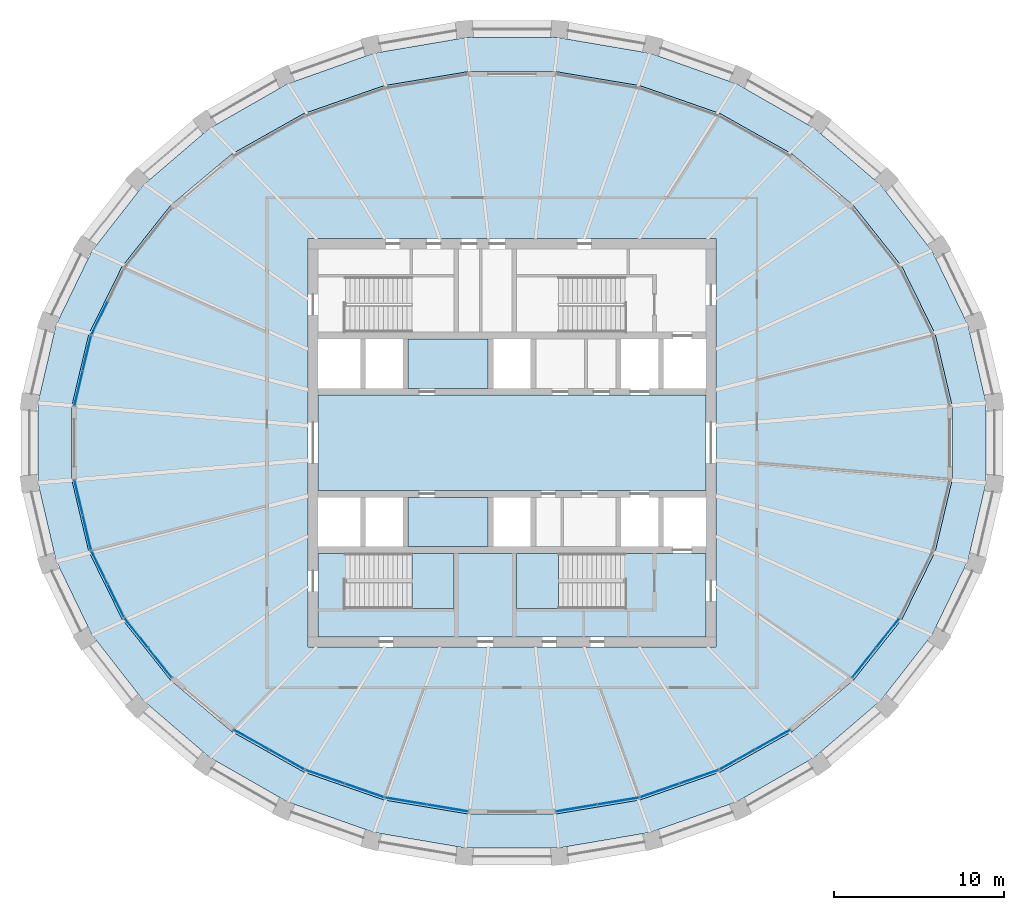
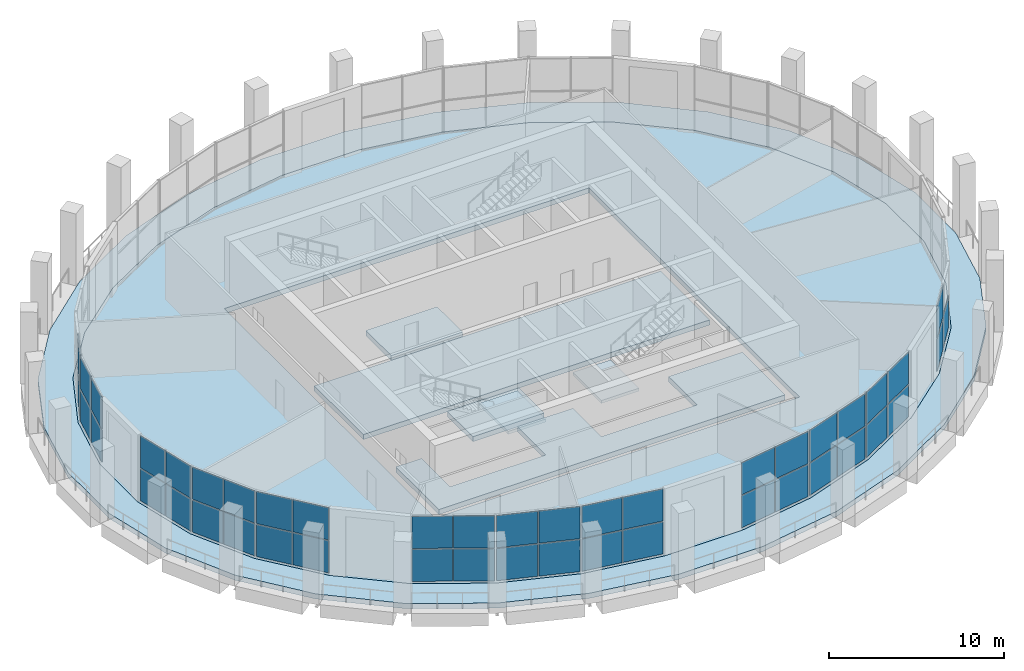
# One storey, part 8 of 15: 45 plates, 8 slabs, 14 elements without a shape of their own.
"""IFC4 building model written with IfcOpenShell, lengths in metres."""

from ifc_helpers import new_model, si_unit, direction, frame, origin, origin_2d, place, context, subcontext, project, spatial, polyline, rectangle, outline, extrude, material, layer, layer_set, type_object, element, aggregate, save


model = new_model("IFC4")

# Units and contexts
model_context = context("Model", 3, precision=1e-05, world=origin(), true_north=direction((0.0, 1.0)))
body_context = subcontext(model_context, "Body", "Model", "MODEL_VIEW")
ifc_project = project(units=[si_unit("LENGTHUNIT", "METRE"), si_unit("AREAUNIT", "SQUARE_METRE"), si_unit("VOLUMEUNIT", "CUBIC_METRE"), si_unit("PLANEANGLEUNIT", "RADIAN"), si_unit("MASSUNIT", "GRAM", prefix="KILO")], contexts=[model_context])

# Site, building, storey
site_placement = place(None, origin())
site = spatial("IfcSite", under=ifc_project, at=site_placement, CompositionType="ELEMENT")
building_placement = place(site_placement, origin())
building = spatial("IfcBuilding", under=site, at=building_placement, Name="Halqa Exchange Tower", CompositionType="ELEMENT")
storey_placement = place(building_placement, frame((0.0, 0.0, 338.300048828125)))
storey = spatial("IfcBuildingStorey", under=building, at=storey_placement, Name="L79", CompositionType="ELEMENT", Elevation=338.300048828125)

# Curtain wall, plates
ifc_material_1 = material(Name="Anodised aluminium and clear glass", Category="aluminium")
curtain_wall_type = type_object("IfcCurtainWallType", Name="Executive floor glazing", PredefinedType="NOTDEFINED", material=ifc_material_1)
curtain_wall_1_placement = place(storey_placement, origin())
curtain_wall_1 = element("IfcCurtainWall", 1, at=curtain_wall_1_placement, inside=storey, type_object=curtain_wall_type, Name="Executive floor glazing run G14", PredefinedType="NOTDEFINED")
ifc_material_2 = material(Name="Clear glass", Category="glass")
ifc_layer_1 = layer(ifc_material_2, 0.028076171875)
ifc_layer_set_1 = layer_set([ifc_layer_1], Name="Clear glass")
plate_type = type_object("IfcPlateType", Name="Clear low-emissivity glass panel 28", PredefinedType="CURTAIN_PANEL", material=ifc_layer_set_1)
plate_1_placement = place(storey_placement, frame((-24.2431640625, 7.32958984375, 0.06005859375), z_axis=(0.0, 0.0, 1.0), x_axis=(-0.441594506199, -0.897214741349, 0.0)))
plate_1 = element("IfcPlate", 2, at=plate_1_placement, type_object=plate_type, Name="G14 panel 2.1", PredefinedType="CURTAIN_PANEL", context=body_context, shape_type="SweptSolid", body=[
    extrude(rectangle(XDim=2.109619140625, YDim=0.028076171875, at=origin_2d()), origin(), (0.0, 0.0, 1.0), 2.235107421875),
])
plate_2_placement = place(storey_placement, frame((-24.2431640625, 7.32958984375, 2.35498046875), z_axis=(0.0, 0.0, 1.0), x_axis=(-0.441594506199, -0.897214741349, 0.0)))
plate_2 = element("IfcPlate", 3, at=plate_2_placement, type_object=plate_type, Name="G14 panel 2.2", PredefinedType="CURTAIN_PANEL", context=body_context, shape_type="SweptSolid", body=[
    extrude(rectangle(XDim=2.109619140625, YDim=0.028076171875, at=origin_2d()), origin(), (0.0, 0.0, 1.0), 2.235107421875),
])
aggregate(curtain_wall_1, [plate_1, plate_2])

curtain_wall_2_placement = place(storey_placement, origin())
curtain_wall_2 = element("IfcCurtainWall", 4, at=curtain_wall_2_placement, inside=storey, type_object=curtain_wall_type, Name="Executive floor glazing run G15", PredefinedType="NOTDEFINED")
plate_3_placement = place(storey_placement, frame((-24.986572265625, 5.266845703125, 0.06005859375), z_axis=(0.0, 0.0, 1.0), x_axis=(-0.229995471437, -0.97319169906, 0.0)))
plate_3 = element("IfcPlate", 5, at=plate_3_placement, type_object=plate_type, Name="G15 panel 1.1", PredefinedType="CURTAIN_PANEL", context=body_context, shape_type="SweptSolid", body=[
    extrude(rectangle(XDim=2.063720703125, YDim=0.028076171875, at=origin_2d()), origin(), (0.0, 0.0, 1.0), 2.235107421875),
])
plate_4_placement = place(storey_placement, frame((-24.986572265625, 5.266845703125, 2.35498046875), z_axis=(0.0, 0.0, 1.0), x_axis=(-0.229995471437, -0.97319169906, 0.0)))
plate_4 = element("IfcPlate", 6, at=plate_4_placement, type_object=plate_type, Name="G15 panel 1.2", PredefinedType="CURTAIN_PANEL", context=body_context, shape_type="SweptSolid", body=[
    extrude(rectangle(XDim=2.063720703125, YDim=0.028076171875, at=origin_2d()), origin(), (0.0, 0.0, 1.0), 2.235107421875),
])
plate_5_placement = place(storey_placement, frame((-25.47509765625, 3.2001953125, 0.06005859375), z_axis=(0.0, 0.0, 1.0), x_axis=(-0.229995471437, -0.97319169906, 0.0)))
plate_5 = element("IfcPlate", 7, at=plate_5_placement, type_object=plate_type, Name="G15 panel 2.1", PredefinedType="CURTAIN_PANEL", context=body_context, shape_type="SweptSolid", body=[
    extrude(rectangle(XDim=2.063720703125, YDim=0.028076171875, at=origin_2d()), origin(), (0.0, 0.0, 1.0), 2.235107421875),
])
plate_6_placement = place(storey_placement, frame((-25.47509765625, 3.2001953125, 2.35498046875), z_axis=(0.0, 0.0, 1.0), x_axis=(-0.229995471437, -0.97319169906, 0.0)))
plate_6 = element("IfcPlate", 8, at=plate_6_placement, type_object=plate_type, Name="G15 panel 2.2", PredefinedType="CURTAIN_PANEL", context=body_context, shape_type="SweptSolid", body=[
    extrude(rectangle(XDim=2.063720703125, YDim=0.028076171875, at=origin_2d()), origin(), (0.0, 0.0, 1.0), 2.235107421875),
])
aggregate(curtain_wall_2, [plate_3, plate_4, plate_5, plate_6])

curtain_wall_3_placement = place(storey_placement, origin())
curtain_wall_3 = element("IfcCurtainWall", 9, at=curtain_wall_3_placement, inside=storey, type_object=curtain_wall_type, Name="Executive floor glazing run G17", PredefinedType="NOTDEFINED")
plate_7_placement = place(storey_placement, frame((-25.47509765625, -3.2001953125, 0.06005859375), z_axis=(0.0, 0.0, 1.0), x_axis=(0.229995471437, -0.97319169906, 0.0)))
plate_7 = element("IfcPlate", 10, at=plate_7_placement, type_object=plate_type, Name="G17 panel 1.1", PredefinedType="CURTAIN_PANEL", context=body_context, shape_type="SweptSolid", body=[
    extrude(rectangle(XDim=2.063720703125, YDim=0.028076171875, at=origin_2d()), origin(), (0.0, 0.0, 1.0), 2.235107421875),
])
plate_8_placement = place(storey_placement, frame((-25.47509765625, -3.2001953125, 2.35498046875), z_axis=(0.0, 0.0, 1.0), x_axis=(0.229995471437, -0.97319169906, 0.0)))
plate_8 = element("IfcPlate", 11, at=plate_8_placement, type_object=plate_type, Name="G17 panel 1.2", PredefinedType="CURTAIN_PANEL", context=body_context, shape_type="SweptSolid", body=[
    extrude(rectangle(XDim=2.063720703125, YDim=0.028076171875, at=origin_2d()), origin(), (0.0, 0.0, 1.0), 2.235107421875),
])
plate_9_placement = place(storey_placement, frame((-24.986572265625, -5.266845703125, 0.06005859375), z_axis=(0.0, 0.0, 1.0), x_axis=(0.229995471437, -0.97319169906, 0.0)))
plate_9 = element("IfcPlate", 12, at=plate_9_placement, type_object=plate_type, Name="G17 panel 2.1", PredefinedType="CURTAIN_PANEL", context=body_context, shape_type="SweptSolid", body=[
    extrude(rectangle(XDim=2.063720703125, YDim=0.028076171875, at=origin_2d()), origin(), (0.0, 0.0, 1.0), 2.235107421875),
])
plate_10_placement = place(storey_placement, frame((-24.986572265625, -5.266845703125, 2.35498046875), z_axis=(0.0, 0.0, 1.0), x_axis=(0.229995471437, -0.97319169906, 0.0)))
plate_10 = element("IfcPlate", 13, at=plate_10_placement, type_object=plate_type, Name="G17 panel 2.2", PredefinedType="CURTAIN_PANEL", context=body_context, shape_type="SweptSolid", body=[
    extrude(rectangle(XDim=2.063720703125, YDim=0.028076171875, at=origin_2d()), origin(), (0.0, 0.0, 1.0), 2.235107421875),
])
aggregate(curtain_wall_3, [plate_7, plate_8, plate_9, plate_10])

curtain_wall_4_placement = place(storey_placement, origin())
curtain_wall_4 = element("IfcCurtainWall", 14, at=curtain_wall_4_placement, inside=storey, type_object=curtain_wall_type, Name="Executive floor glazing run G18", PredefinedType="NOTDEFINED")
plate_11_placement = place(storey_placement, frame((-24.2431640625, -7.32958984375, 0.06005859375), z_axis=(0.0, 0.0, 1.0), x_axis=(0.441594506199, -0.897214741349, 0.0)))
plate_11 = element("IfcPlate", 15, at=plate_11_placement, type_object=plate_type, Name="G18 panel 1.1", PredefinedType="CURTAIN_PANEL", context=body_context, shape_type="SweptSolid", body=[
    extrude(rectangle(XDim=2.109619140625, YDim=0.028076171875, at=origin_2d()), origin(), (0.0, 0.0, 1.0), 2.235107421875),
])
plate_12_placement = place(storey_placement, frame((-24.2431640625, -7.32958984375, 2.35498046875), z_axis=(0.0, 0.0, 1.0), x_axis=(0.441594506199, -0.897214741349, 0.0)))
plate_12 = element("IfcPlate", 16, at=plate_12_placement, type_object=plate_type, Name="G18 panel 1.2", PredefinedType="CURTAIN_PANEL", context=body_context, shape_type="SweptSolid", body=[
    extrude(rectangle(XDim=2.109619140625, YDim=0.028076171875, at=origin_2d()), origin(), (0.0, 0.0, 1.0), 2.235107421875),
])
plate_13_placement = place(storey_placement, frame((-23.28515625, -9.276123046875, 0.06005859375), z_axis=(0.0, 0.0, 1.0), x_axis=(0.441594506199, -0.897214741349, 0.0)))
plate_13 = element("IfcPlate", 17, at=plate_13_placement, type_object=plate_type, Name="G18 panel 2.1", PredefinedType="CURTAIN_PANEL", context=body_context, shape_type="SweptSolid", body=[
    extrude(rectangle(XDim=2.109619140625, YDim=0.028076171875, at=origin_2d()), origin(), (0.0, 0.0, 1.0), 2.235107421875),
])
plate_14_placement = place(storey_placement, frame((-23.28515625, -9.276123046875, 2.35498046875), z_axis=(0.0, 0.0, 1.0), x_axis=(0.441594506199, -0.897214741349, 0.0)))
plate_14 = element("IfcPlate", 18, at=plate_14_placement, type_object=plate_type, Name="G18 panel 2.2", PredefinedType="CURTAIN_PANEL", context=body_context, shape_type="SweptSolid", body=[
    extrude(rectangle(XDim=2.109619140625, YDim=0.028076171875, at=origin_2d()), origin(), (0.0, 0.0, 1.0), 2.235107421875),
])
aggregate(curtain_wall_4, [plate_11, plate_12, plate_13, plate_14])

curtain_wall_5_placement = place(storey_placement, origin())
curtain_wall_5 = element("IfcCurtainWall", 19, at=curtain_wall_5_placement, inside=storey, type_object=curtain_wall_type, Name="Executive floor glazing run G19", PredefinedType="NOTDEFINED")
plate_15_placement = place(storey_placement, frame((-22.078857421875, -11.175537109375, 0.06005859375), z_axis=(0.0, 0.0, 1.0), x_axis=(0.621817275737, -0.783162355834, 0.0)))
plate_15 = element("IfcPlate", 20, at=plate_15_placement, type_object=plate_type, Name="G19 panel 1.1", PredefinedType="CURTAIN_PANEL", context=body_context, shape_type="SweptSolid", body=[
    extrude(rectangle(XDim=2.17626953125, YDim=0.028076171875, at=origin_2d()), origin(), (0.0, 0.0, 1.0), 2.235107421875),
])
plate_16_placement = place(storey_placement, frame((-22.078857421875, -11.175537109375, 2.35498046875), z_axis=(0.0, 0.0, 1.0), x_axis=(0.621817275737, -0.783162355834, 0.0)))
plate_16 = element("IfcPlate", 21, at=plate_16_placement, type_object=plate_type, Name="G19 panel 1.2", PredefinedType="CURTAIN_PANEL", context=body_context, shape_type="SweptSolid", body=[
    extrude(rectangle(XDim=2.17626953125, YDim=0.028076171875, at=origin_2d()), origin(), (0.0, 0.0, 1.0), 2.235107421875),
])
plate_17_placement = place(storey_placement, frame((-20.6884765625, -12.927001953125, 0.06005859375), z_axis=(0.0, 0.0, 1.0), x_axis=(0.621817275737, -0.783162355834, 0.0)))
plate_17 = element("IfcPlate", 22, at=plate_17_placement, type_object=plate_type, Name="G19 panel 2.1", PredefinedType="CURTAIN_PANEL", context=body_context, shape_type="SweptSolid", body=[
    extrude(rectangle(XDim=2.17626953125, YDim=0.028076171875, at=origin_2d()), origin(), (0.0, 0.0, 1.0), 2.235107421875),
])
plate_18_placement = place(storey_placement, frame((-20.6884765625, -12.927001953125, 2.35498046875), z_axis=(0.0, 0.0, 1.0), x_axis=(0.621817275737, -0.783162355834, 0.0)))
plate_18 = element("IfcPlate", 23, at=plate_18_placement, type_object=plate_type, Name="G19 panel 2.2", PredefinedType="CURTAIN_PANEL", context=body_context, shape_type="SweptSolid", body=[
    extrude(rectangle(XDim=2.17626953125, YDim=0.028076171875, at=origin_2d()), origin(), (0.0, 0.0, 1.0), 2.235107421875),
])
aggregate(curtain_wall_5, [plate_15, plate_16, plate_17, plate_18])

curtain_wall_6_placement = place(storey_placement, origin())
curtain_wall_6 = element("IfcCurtainWall", 24, at=curtain_wall_6_placement, inside=storey, type_object=curtain_wall_type, Name="Executive floor glazing run G21", PredefinedType="NOTDEFINED")
plate_19_placement = place(storey_placement, frame((-15.323486328125, -17.442626953125, 0.06005859375), z_axis=(0.0, 0.0, 1.0), x_axis=(0.871633547948, -0.490158094997, 0.0)))
plate_19 = element("IfcPlate", 25, at=plate_19_placement, type_object=plate_type, Name="G21 panel 1.1", PredefinedType="CURTAIN_PANEL", context=body_context, shape_type="SweptSolid", body=[
    extrude(rectangle(XDim=2.32666015625, YDim=0.028076171875, at=origin_2d()), origin(), (0.0, 0.0, 1.0), 2.235107421875),
])
plate_20_placement = place(storey_placement, frame((-15.323486328125, -17.442626953125, 2.35498046875), z_axis=(0.0, 0.0, 1.0), x_axis=(0.871633547948, -0.490158094997, 0.0)))
plate_20 = element("IfcPlate", 26, at=plate_20_placement, type_object=plate_type, Name="G21 panel 1.2", PredefinedType="CURTAIN_PANEL", context=body_context, shape_type="SweptSolid", body=[
    extrude(rectangle(XDim=2.32666015625, YDim=0.028076171875, at=origin_2d()), origin(), (0.0, 0.0, 1.0), 2.235107421875),
])
plate_21_placement = place(storey_placement, frame((-13.2431640625, -18.6123046875, 0.06005859375), z_axis=(0.0, 0.0, 1.0), x_axis=(0.871633547948, -0.490158094997, 0.0)))
plate_21 = element("IfcPlate", 27, at=plate_21_placement, type_object=plate_type, Name="G21 panel 2.1", PredefinedType="CURTAIN_PANEL", context=body_context, shape_type="SweptSolid", body=[
    extrude(rectangle(XDim=2.32666015625, YDim=0.028076171875, at=origin_2d()), origin(), (0.0, 0.0, 1.0), 2.235107421875),
])
plate_22_placement = place(storey_placement, frame((-13.2431640625, -18.6123046875, 2.35498046875), z_axis=(0.0, 0.0, 1.0), x_axis=(0.871633547948, -0.490158094997, 0.0)))
plate_22 = element("IfcPlate", 28, at=plate_22_placement, type_object=plate_type, Name="G21 panel 2.2", PredefinedType="CURTAIN_PANEL", context=body_context, shape_type="SweptSolid", body=[
    extrude(rectangle(XDim=2.32666015625, YDim=0.028076171875, at=origin_2d()), origin(), (0.0, 0.0, 1.0), 2.235107421875),
])
aggregate(curtain_wall_6, [plate_19, plate_20, plate_21, plate_22])

curtain_wall_7_placement = place(storey_placement, origin())
curtain_wall_7 = element("IfcCurtainWall", 29, at=curtain_wall_7_placement, inside=storey, type_object=curtain_wall_type, Name="Executive floor glazing run G22", PredefinedType="NOTDEFINED")
plate_23_placement = place(storey_placement, frame((-10.992919921875, -19.624755859375, 0.06005859375), z_axis=(0.0, 0.0, 1.0), x_axis=(0.9442741551, -0.329160021888, 0.0)))
plate_23 = element("IfcPlate", 30, at=plate_23_placement, type_object=plate_type, Name="G22 panel 1.1", PredefinedType="CURTAIN_PANEL", context=body_context, shape_type="SweptSolid", body=[
    extrude(rectangle(XDim=2.3876953125, YDim=0.028076171875, at=origin_2d()), origin(), (0.0, 0.0, 1.0), 2.235107421875),
])
plate_24_placement = place(storey_placement, frame((-10.992919921875, -19.624755859375, 2.35498046875), z_axis=(0.0, 0.0, 1.0), x_axis=(0.9442741551, -0.329160021888, 0.0)))
plate_24 = element("IfcPlate", 31, at=plate_24_placement, type_object=plate_type, Name="G22 panel 1.2", PredefinedType="CURTAIN_PANEL", context=body_context, shape_type="SweptSolid", body=[
    extrude(rectangle(XDim=2.3876953125, YDim=0.028076171875, at=origin_2d()), origin(), (0.0, 0.0, 1.0), 2.235107421875),
])
plate_25_placement = place(storey_placement, frame((-8.681640625, -20.430419921875, 0.06005859375), z_axis=(0.0, 0.0, 1.0), x_axis=(0.9442741551, -0.329160021888, 0.0)))
plate_25 = element("IfcPlate", 32, at=plate_25_placement, type_object=plate_type, Name="G22 panel 2.1", PredefinedType="CURTAIN_PANEL", context=body_context, shape_type="SweptSolid", body=[
    extrude(rectangle(XDim=2.3876953125, YDim=0.028076171875, at=origin_2d()), origin(), (0.0, 0.0, 1.0), 2.235107421875),
])
plate_26_placement = place(storey_placement, frame((-8.681640625, -20.430419921875, 2.35498046875), z_axis=(0.0, 0.0, 1.0), x_axis=(0.9442741551, -0.329160021888, 0.0)))
plate_26 = element("IfcPlate", 33, at=plate_26_placement, type_object=plate_type, Name="G22 panel 2.2", PredefinedType="CURTAIN_PANEL", context=body_context, shape_type="SweptSolid", body=[
    extrude(rectangle(XDim=2.3876953125, YDim=0.028076171875, at=origin_2d()), origin(), (0.0, 0.0, 1.0), 2.235107421875),
])
aggregate(curtain_wall_7, [plate_23, plate_24, plate_25, plate_26])

curtain_wall_8_placement = place(storey_placement, origin())
curtain_wall_8 = element("IfcCurtainWall", 34, at=curtain_wall_8_placement, inside=storey, type_object=curtain_wall_type, Name="Executive floor glazing run G23", PredefinedType="NOTDEFINED")
plate_27_placement = place(storey_placement, frame((-6.2412109375, -21.053466796875, 0.06005859375), z_axis=(0.0, 0.0, 1.0), x_axis=(0.986273964834, -0.165117129007, 0.0)))
plate_27 = element("IfcPlate", 35, at=plate_27_placement, type_object=plate_type, Name="G23 panel 1.1", PredefinedType="CURTAIN_PANEL", context=body_context, shape_type="SweptSolid", body=[
    extrude(rectangle(XDim=2.427490234375, YDim=0.028076171875, at=origin_2d()), origin(), (0.0, 0.0, 1.0), 2.235107421875),
])
plate_28_placement = place(storey_placement, frame((-6.2412109375, -21.053466796875, 2.35498046875), z_axis=(0.0, 0.0, 1.0), x_axis=(0.986273964834, -0.165117129007, 0.0)))
plate_28 = element("IfcPlate", 36, at=plate_28_placement, type_object=plate_type, Name="G23 panel 1.2", PredefinedType="CURTAIN_PANEL", context=body_context, shape_type="SweptSolid", body=[
    extrude(rectangle(XDim=2.427490234375, YDim=0.028076171875, at=origin_2d()), origin(), (0.0, 0.0, 1.0), 2.235107421875),
])
plate_29_placement = place(storey_placement, frame((-3.787841796875, -21.464111328125, 0.06005859375), z_axis=(0.0, 0.0, 1.0), x_axis=(0.986273964834, -0.165117129007, 0.0)))
plate_29 = element("IfcPlate", 37, at=plate_29_placement, type_object=plate_type, Name="G23 panel 2.1", PredefinedType="CURTAIN_PANEL", context=body_context, shape_type="SweptSolid", body=[
    extrude(rectangle(XDim=2.427490234375, YDim=0.028076171875, at=origin_2d()), origin(), (0.0, 0.0, 1.0), 2.235107421875),
])
plate_30_placement = place(storey_placement, frame((-3.787841796875, -21.464111328125, 2.35498046875), z_axis=(0.0, 0.0, 1.0), x_axis=(0.986273964834, -0.165117129007, 0.0)))
plate_30 = element("IfcPlate", 38, at=plate_30_placement, type_object=plate_type, Name="G23 panel 2.2", PredefinedType="CURTAIN_PANEL", context=body_context, shape_type="SweptSolid", body=[
    extrude(rectangle(XDim=2.427490234375, YDim=0.028076171875, at=origin_2d()), origin(), (0.0, 0.0, 1.0), 2.235107421875),
])
aggregate(curtain_wall_8, [plate_27, plate_28, plate_29, plate_30])

curtain_wall_9_placement = place(storey_placement, origin())
curtain_wall_9 = element("IfcCurtainWall", 39, at=curtain_wall_9_placement, inside=storey, type_object=curtain_wall_type, Name="Executive floor glazing run G25", PredefinedType="NOTDEFINED")
plate_31_placement = place(storey_placement, frame((3.787841796875, -21.464111328125, 0.06005859375), z_axis=(0.0, 0.0, 1.0), x_axis=(0.986273964834, 0.165117129007, 0.0)))
plate_31 = element("IfcPlate", 40, at=plate_31_placement, type_object=plate_type, Name="G25 panel 1.1", PredefinedType="CURTAIN_PANEL", context=body_context, shape_type="SweptSolid", body=[
    extrude(rectangle(XDim=2.427490234375, YDim=0.028076171875, at=origin_2d()), origin(), (0.0, 0.0, 1.0), 2.235107421875),
])
plate_32_placement = place(storey_placement, frame((3.787841796875, -21.464111328125, 2.35498046875), z_axis=(0.0, 0.0, 1.0), x_axis=(0.986273964834, 0.165117129007, 0.0)))
plate_32 = element("IfcPlate", 41, at=plate_32_placement, type_object=plate_type, Name="G25 panel 1.2", PredefinedType="CURTAIN_PANEL", context=body_context, shape_type="SweptSolid", body=[
    extrude(rectangle(XDim=2.427490234375, YDim=0.028076171875, at=origin_2d()), origin(), (0.0, 0.0, 1.0), 2.235107421875),
])
plate_33_placement = place(storey_placement, frame((6.2412109375, -21.053466796875, 0.06005859375), z_axis=(0.0, 0.0, 1.0), x_axis=(0.986273964834, 0.165117129007, 0.0)))
plate_33 = element("IfcPlate", 42, at=plate_33_placement, type_object=plate_type, Name="G25 panel 2.1", PredefinedType="CURTAIN_PANEL", context=body_context, shape_type="SweptSolid", body=[
    extrude(rectangle(XDim=2.427490234375, YDim=0.028076171875, at=origin_2d()), origin(), (0.0, 0.0, 1.0), 2.235107421875),
])
plate_34_placement = place(storey_placement, frame((6.2412109375, -21.053466796875, 2.35498046875), z_axis=(0.0, 0.0, 1.0), x_axis=(0.986273964834, 0.165117129007, 0.0)))
plate_34 = element("IfcPlate", 43, at=plate_34_placement, type_object=plate_type, Name="G25 panel 2.2", PredefinedType="CURTAIN_PANEL", context=body_context, shape_type="SweptSolid", body=[
    extrude(rectangle(XDim=2.427490234375, YDim=0.028076171875, at=origin_2d()), origin(), (0.0, 0.0, 1.0), 2.235107421875),
])
aggregate(curtain_wall_9, [plate_31, plate_32, plate_33, plate_34])

curtain_wall_10_placement = place(storey_placement, origin())
curtain_wall_10 = element("IfcCurtainWall", 44, at=curtain_wall_10_placement, inside=storey, type_object=curtain_wall_type, Name="Executive floor glazing run G26", PredefinedType="NOTDEFINED")
plate_35_placement = place(storey_placement, frame((8.681640625, -20.430419921875, 0.06005859375), z_axis=(0.0, 0.0, 1.0), x_axis=(0.9442741551, 0.329160021888, 0.0)))
plate_35 = element("IfcPlate", 45, at=plate_35_placement, type_object=plate_type, Name="G26 panel 1.1", PredefinedType="CURTAIN_PANEL", context=body_context, shape_type="SweptSolid", body=[
    extrude(rectangle(XDim=2.3876953125, YDim=0.028076171875, at=origin_2d()), origin(), (0.0, 0.0, 1.0), 2.235107421875),
])
plate_36_placement = place(storey_placement, frame((8.681640625, -20.430419921875, 2.35498046875), z_axis=(0.0, 0.0, 1.0), x_axis=(0.9442741551, 0.329160021888, 0.0)))
plate_36 = element("IfcPlate", 46, at=plate_36_placement, type_object=plate_type, Name="G26 panel 1.2", PredefinedType="CURTAIN_PANEL", context=body_context, shape_type="SweptSolid", body=[
    extrude(rectangle(XDim=2.3876953125, YDim=0.028076171875, at=origin_2d()), origin(), (0.0, 0.0, 1.0), 2.235107421875),
])
plate_37_placement = place(storey_placement, frame((10.992919921875, -19.624755859375, 0.06005859375), z_axis=(0.0, 0.0, 1.0), x_axis=(0.9442741551, 0.329160021888, 0.0)))
plate_37 = element("IfcPlate", 47, at=plate_37_placement, type_object=plate_type, Name="G26 panel 2.1", PredefinedType="CURTAIN_PANEL", context=body_context, shape_type="SweptSolid", body=[
    extrude(rectangle(XDim=2.3876953125, YDim=0.028076171875, at=origin_2d()), origin(), (0.0, 0.0, 1.0), 2.235107421875),
])
plate_38_placement = place(storey_placement, frame((10.992919921875, -19.624755859375, 2.35498046875), z_axis=(0.0, 0.0, 1.0), x_axis=(0.9442741551, 0.329160021888, 0.0)))
plate_38 = element("IfcPlate", 48, at=plate_38_placement, type_object=plate_type, Name="G26 panel 2.2", PredefinedType="CURTAIN_PANEL", context=body_context, shape_type="SweptSolid", body=[
    extrude(rectangle(XDim=2.3876953125, YDim=0.028076171875, at=origin_2d()), origin(), (0.0, 0.0, 1.0), 2.235107421875),
])
aggregate(curtain_wall_10, [plate_35, plate_36, plate_37, plate_38])

curtain_wall_11_placement = place(storey_placement, origin())
curtain_wall_11 = element("IfcCurtainWall", 49, at=curtain_wall_11_placement, inside=storey, type_object=curtain_wall_type, Name="Executive floor glazing run G27", PredefinedType="NOTDEFINED")
plate_39_placement = place(storey_placement, frame((13.2431640625, -18.6123046875, 0.06005859375), z_axis=(0.0, 0.0, 1.0), x_axis=(0.871633547948, 0.490158094997, 0.0)))
plate_39 = element("IfcPlate", 50, at=plate_39_placement, type_object=plate_type, Name="G27 panel 1.1", PredefinedType="CURTAIN_PANEL", context=body_context, shape_type="SweptSolid", body=[
    extrude(rectangle(XDim=2.32666015625, YDim=0.028076171875, at=origin_2d()), origin(), (0.0, 0.0, 1.0), 2.235107421875),
])
plate_40_placement = place(storey_placement, frame((13.2431640625, -18.6123046875, 2.35498046875), z_axis=(0.0, 0.0, 1.0), x_axis=(0.871633547948, 0.490158094997, 0.0)))
plate_40 = element("IfcPlate", 51, at=plate_40_placement, type_object=plate_type, Name="G27 panel 1.2", PredefinedType="CURTAIN_PANEL", context=body_context, shape_type="SweptSolid", body=[
    extrude(rectangle(XDim=2.32666015625, YDim=0.028076171875, at=origin_2d()), origin(), (0.0, 0.0, 1.0), 2.235107421875),
])
plate_41_placement = place(storey_placement, frame((15.323486328125, -17.442626953125, 0.06005859375), z_axis=(0.0, 0.0, 1.0), x_axis=(0.871633547948, 0.490158094997, 0.0)))
plate_41 = element("IfcPlate", 52, at=plate_41_placement, type_object=plate_type, Name="G27 panel 2.1", PredefinedType="CURTAIN_PANEL", context=body_context, shape_type="SweptSolid", body=[
    extrude(rectangle(XDim=2.32666015625, YDim=0.028076171875, at=origin_2d()), origin(), (0.0, 0.0, 1.0), 2.235107421875),
])
plate_42_placement = place(storey_placement, frame((15.323486328125, -17.442626953125, 2.35498046875), z_axis=(0.0, 0.0, 1.0), x_axis=(0.871633547948, 0.490158094997, 0.0)))
plate_42 = element("IfcPlate", 53, at=plate_42_placement, type_object=plate_type, Name="G27 panel 2.2", PredefinedType="CURTAIN_PANEL", context=body_context, shape_type="SweptSolid", body=[
    extrude(rectangle(XDim=2.32666015625, YDim=0.028076171875, at=origin_2d()), origin(), (0.0, 0.0, 1.0), 2.235107421875),
])
aggregate(curtain_wall_11, [plate_39, plate_40, plate_41, plate_42])

curtain_wall_12_placement = place(storey_placement, origin())
curtain_wall_12 = element("IfcCurtainWall", 54, at=curtain_wall_12_placement, inside=storey, type_object=curtain_wall_type, Name="Executive floor glazing run G29", PredefinedType="NOTDEFINED")
plate_43_placement = place(storey_placement, frame((20.6884765625, -12.927001953125, 0.06005859375), z_axis=(0.0, 0.0, 1.0), x_axis=(0.621817275737, 0.783162355834, 0.0)))
plate_43 = element("IfcPlate", 55, at=plate_43_placement, type_object=plate_type, Name="G29 panel 1.1", PredefinedType="CURTAIN_PANEL", context=body_context, shape_type="SweptSolid", body=[
    extrude(rectangle(XDim=2.17626953125, YDim=0.028076171875, at=origin_2d()), origin(), (0.0, 0.0, 1.0), 2.235107421875),
])
plate_44_placement = place(storey_placement, frame((20.6884765625, -12.927001953125, 2.35498046875), z_axis=(0.0, 0.0, 1.0), x_axis=(0.621817275737, 0.783162355834, 0.0)))
plate_44 = element("IfcPlate", 56, at=plate_44_placement, type_object=plate_type, Name="G29 panel 1.2", PredefinedType="CURTAIN_PANEL", context=body_context, shape_type="SweptSolid", body=[
    extrude(rectangle(XDim=2.17626953125, YDim=0.028076171875, at=origin_2d()), origin(), (0.0, 0.0, 1.0), 2.235107421875),
])
plate_45_placement = place(storey_placement, frame((22.078857421875, -11.175537109375, 0.06005859375), z_axis=(0.0, 0.0, 1.0), x_axis=(0.621817275737, 0.783162355834, 0.0)))
plate_45 = element("IfcPlate", 57, at=plate_45_placement, type_object=plate_type, Name="G29 panel 2.1", PredefinedType="CURTAIN_PANEL", context=body_context, shape_type="SweptSolid", body=[
    extrude(rectangle(XDim=2.17626953125, YDim=0.028076171875, at=origin_2d()), origin(), (0.0, 0.0, 1.0), 2.235107421875),
])
aggregate(curtain_wall_12, [plate_43, plate_44, plate_45])

# Slabs
ifc_material_3 = material(Name="Concrete C60/75", Category="concrete")
ifc_layer_2 = layer(ifc_material_3, 0.35009765625)
ifc_layer_set_2 = layer_set([ifc_layer_2], Name="Concrete C60/75")
slab_type_1 = type_object("IfcSlabType", Name="Core floor slab 350", PredefinedType="FLOOR", material=ifc_layer_set_2)
slab_1_placement = place(storey_placement, frame((0.0, 0.0, -0.35009765625)))
element("IfcSlab", 58, at=slab_1_placement, inside=storey, type_object=slab_type_1, Name="Core floor slab", PredefinedType="FLOOR", context=body_context, shape_type="SweptSolid", body=[
    extrude(outline(polyline([(-11.39990234375, 2.800048828125), (11.39990234375, 2.800048828125), (11.39990234375, -2.800048828125), (-11.39990234375, -2.800048828125), (-11.39990234375, 2.800048828125)])), origin(), (0.0, 0.0, 1.0), 0.35009765625),
])
slab_2_placement = place(storey_placement, frame((0.0, 0.0, -0.35009765625)))
element("IfcSlab", 59, at=slab_2_placement, inside=storey, type_object=slab_type_1, Name="Core floor slab", PredefinedType="FLOOR", context=body_context, shape_type="SweptSolid", body=[
    extrude(outline(polyline([(-11.39990234375, -6.5), (-9.699951171875, -6.5), (-9.699951171875, -9.75), (-3.39990234375, -9.75), (-3.39990234375, -6.5), (0.25, -6.5), (0.25, -9.75), (6.550048828125, -9.75), (6.550048828125, -6.5), (11.39990234375, -6.5), (11.39990234375, -11.39990234375), (-11.39990234375, -11.39990234375), (-11.39990234375, -6.5)])), origin(), (0.0, 0.0, 1.0), 0.35009765625),
])
slab_3_placement = place(storey_placement, frame((0.0, 0.0, -0.35009765625)))
element("IfcSlab", 60, at=slab_3_placement, inside=storey, type_object=slab_type_1, Name="Core floor slab", PredefinedType="FLOOR", context=body_context, shape_type="SweptSolid", body=[
    extrude(outline(polyline([(-1.39990234375, -3.199951171875), (-1.39990234375, -6.10009765625), (-6.10009765625, -6.10009765625), (-6.10009765625, -3.199951171875), (-1.39990234375, -3.199951171875)])), origin(), (0.0, 0.0, 1.0), 0.35009765625),
])
slab_4_placement = place(storey_placement, frame((0.0, 0.0, -0.35009765625)))
element("IfcSlab", 61, at=slab_4_placement, inside=storey, type_object=slab_type_1, Name="Core floor slab", PredefinedType="FLOOR", context=body_context, shape_type="SweptSolid", body=[
    extrude(outline(polyline([(-1.39990234375, 3.199951171875), (-6.10009765625, 3.199951171875), (-6.10009765625, 6.10009765625), (-1.39990234375, 6.10009765625), (-1.39990234375, 3.199951171875)])), origin(), (0.0, 0.0, 1.0), 0.35009765625),
])
ifc_material_4 = material(Name="Concrete C40/50", Category="concrete")
ifc_layer_3 = layer(ifc_material_4, 0.35009765625)
ifc_layer_set_3 = layer_set([ifc_layer_3], Name="Concrete C40/50")
slab_type_2 = type_object("IfcSlabType", Name="RC floor slab 350", PredefinedType="FLOOR", material=ifc_layer_set_3)
slab_5_placement = place(storey_placement, frame((0.0, 0.0, -0.35009765625)))
element("IfcSlab", 62, at=slab_5_placement, inside=storey, type_object=slab_type_2, Name="Floor slab", PredefinedType="FLOOR", context=body_context, shape_type="SweptSolid", body=[
    extrude(outline(polyline([(25.876220703125, 2.155029296875), (24.877685546875, 6.380615234375), (22.92041015625, 10.35693359375), (20.08251953125, 13.93115234375), (16.4755859375, 16.966796875), (12.23876953125, 19.34912109375), (7.534912109375, 20.989013671875), (2.5439453125, 21.824462890625), (-2.5439453125, 21.824462890625), (-7.534912109375, 20.989013671875), (-12.23876953125, 19.34912109375), (-16.4755859375, 16.966796875), (-20.08251953125, 13.93115234375), (-22.92041015625, 10.35693359375), (-24.877685546875, 6.380615234375), (-25.876220703125, 2.155029296875), (-25.876220703125, -2.155029296875), (-24.877685546875, -6.380615234375), (-22.92041015625, -10.35693359375), (-20.08251953125, -13.93115234375), (-16.4755859375, -16.966796875), (-12.23876953125, -19.34912109375), (-7.534912109375, -20.989013671875), (-2.5439453125, -21.824462890625), (2.5439453125, -21.824462890625), (7.534912109375, -20.989013671875), (12.23876953125, -19.34912109375), (16.4755859375, -16.966796875), (20.08251953125, -13.93115234375), (22.92041015625, -10.35693359375), (24.877685546875, -6.380615234375), (25.876220703125, -2.155029296875), (25.876220703125, 2.155029296875)]), holes=[polyline([(-12.0, -12.0), (12.0, -12.0), (12.0, 12.0), (-12.0, 12.0), (-12.0, -12.0)])]), origin(), (0.0, 0.0, 1.0), 0.35009765625),
])
ifc_layer_4 = layer(ifc_material_4, 0.35009765625)
ifc_layer_set_4 = layer_set([ifc_layer_4], Name="Concrete C40/50")
slab_type_3 = type_object("IfcSlabType", Name="RC loggia slab 350", PredefinedType="FLOOR", material=ifc_layer_set_4)
slab_6_placement = place(storey_placement, frame((0.0, 0.0, -0.35009765625)))
element("IfcSlab", 63, at=slab_6_placement, inside=storey, type_object=slab_type_3, Name="Loggia slab", PredefinedType="FLOOR", context=body_context, shape_type="SweptSolid", body=[
    extrude(outline(polyline([(27.86279296875, 2.337158203125), (27.86279296875, -2.337158203125), (26.79833984375, -6.923828125), (24.707763671875, -11.250244140625), (21.667236328125, -15.150390625), (17.790771484375, -18.47314453125), (13.22509765625, -21.087890625), (8.146484375, -22.89111328125), (2.751220703125, -23.81103515625), (-2.751220703125, -23.81103515625), (-8.146484375, -22.89111328125), (-13.22509765625, -21.087890625), (-17.790771484375, -18.47314453125), (-21.667236328125, -15.150390625), (-24.707763671875, -11.250244140625), (-26.79833984375, -6.923828125), (-27.86279296875, -2.337158203125), (-27.86279296875, 2.337158203125), (-26.79833984375, 6.923828125), (-24.707763671875, 11.250244140625), (-21.667236328125, 15.150390625), (-17.790771484375, 18.47314453125), (-13.22509765625, 21.087890625), (-8.146484375, 22.89111328125), (-2.751220703125, 23.81103515625), (2.751220703125, 23.81103515625), (8.146484375, 22.89111328125), (13.22509765625, 21.087890625), (17.790771484375, 18.47314453125), (21.667236328125, 15.150390625), (24.707763671875, 11.250244140625), (26.79833984375, 6.923828125), (27.86279296875, 2.337158203125)]), holes=[polyline([(25.876220703125, 2.155029296875), (24.877685546875, 6.380615234375), (22.92041015625, 10.35693359375), (20.08251953125, 13.93115234375), (16.4755859375, 16.966796875), (12.23876953125, 19.34912109375), (7.534912109375, 20.989013671875), (2.5439453125, 21.824462890625), (-2.5439453125, 21.824462890625), (-7.534912109375, 20.989013671875), (-12.23876953125, 19.34912109375), (-16.4755859375, 16.966796875), (-20.08251953125, 13.93115234375), (-22.92041015625, 10.35693359375), (-24.877685546875, 6.380615234375), (-25.876220703125, 2.155029296875), (-25.876220703125, -2.155029296875), (-24.877685546875, -6.380615234375), (-22.92041015625, -10.35693359375), (-20.08251953125, -13.93115234375), (-16.4755859375, -16.966796875), (-12.23876953125, -19.34912109375), (-7.534912109375, -20.989013671875), (-2.5439453125, -21.824462890625), (2.5439453125, -21.824462890625), (7.534912109375, -20.989013671875), (12.23876953125, -19.34912109375), (16.4755859375, -16.966796875), (20.08251953125, -13.93115234375), (22.92041015625, -10.35693359375), (24.877685546875, -6.380615234375), (25.876220703125, -2.155029296875), (25.876220703125, 2.155029296875)])]), origin(), (0.0, 0.0, 1.0), 0.35009765625),
])

# Stair, slab
ifc_material_5 = material(Name="Concrete C30/37", Category="concrete")
stair_type = type_object("IfcStairType", Name="Exit stair 1500 wide", PredefinedType="HALF_TURN_STAIR", material=ifc_material_5)
stair_1_placement = place(storey_placement, origin())
stair_1 = element("IfcStair", 64, at=stair_1_placement, inside=storey, type_object=stair_type, Name="Exit stair ST3", PredefinedType="HALF_TURN_STAIR")
ifc_layer_5 = layer(ifc_material_5, 0.199951171875)
ifc_layer_set_5 = layer_set([ifc_layer_5], Name="Concrete C30/37")
slab_type_4 = type_object("IfcSlabType", Name="Stair landing 200 slab", PredefinedType="LANDING", material=ifc_layer_set_5)
slab_7_placement = place(storey_placement, frame((0.0, 0.0, 2.300048828125)))
slab_7 = element("IfcSlab", 65, at=slab_7_placement, type_object=slab_type_4, Name="ST3 landing 1", PredefinedType="LANDING", context=body_context, shape_type="SweptSolid", body=[
    extrude(outline(polyline([(-5.8798828125, -9.75), (-3.39990234375, -9.75), (-3.39990234375, -6.5), (-5.8798828125, -6.5), (-5.8798828125, -9.75)])), origin(), (0.0, 0.0, 1.0), 0.199951171875),
])
aggregate(stair_1, [slab_7])

stair_2_placement = place(storey_placement, origin())
stair_2 = element("IfcStair", 66, at=stair_2_placement, inside=storey, type_object=stair_type, Name="Exit stair ST4", PredefinedType="HALF_TURN_STAIR")
slab_8_placement = place(storey_placement, frame((0.0, 0.0, 2.300048828125)))
slab_8 = element("IfcSlab", 67, at=slab_8_placement, type_object=slab_type_4, Name="ST4 landing 1", PredefinedType="LANDING", context=body_context, shape_type="SweptSolid", body=[
    extrude(outline(polyline([(0.25, -9.75), (2.72998046875, -9.75), (2.72998046875, -6.5), (0.25, -6.5), (0.25, -9.75)])), origin(), (0.0, 0.0, 1.0), 0.199951171875),
])
aggregate(stair_2, [slab_8])

save(model, "model.ifc")
